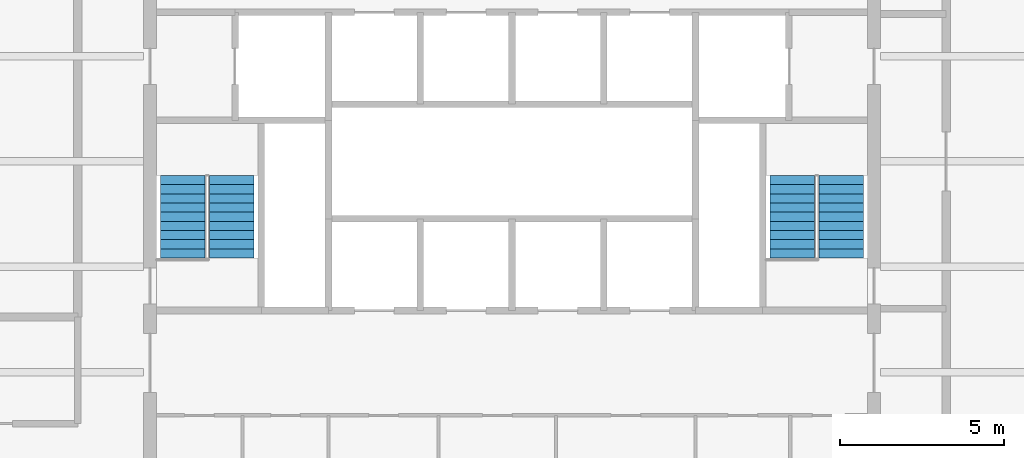
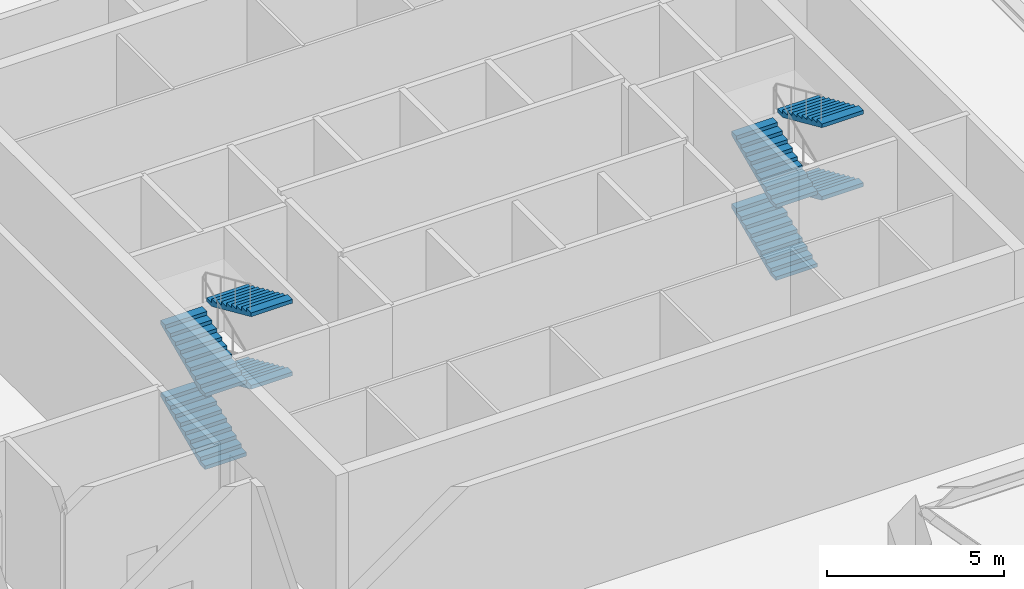
# One storey, part 7 of 13: 8 stair flights, 2 elements without a shape of their own.
"""IFC4 building model written with IfcOpenShell, lengths in metres."""

from ifc_helpers import new_model, si_unit, direction, frame, origin, place, context, subcontext, project, spatial, polyline, outline, extrude, material, type_object, element, aggregate, save


model = new_model("IFC4")

# Units and contexts
model_context = context("Model", 3, precision=1e-05, world=origin(), true_north=direction((0.0, 1.0)))
body_context = subcontext(model_context, "Body", "Model", "MODEL_VIEW")
ifc_project = project(units=[si_unit("LENGTHUNIT", "METRE"), si_unit("AREAUNIT", "SQUARE_METRE"), si_unit("VOLUMEUNIT", "CUBIC_METRE"), si_unit("PLANEANGLEUNIT", "RADIAN"), si_unit("MASSUNIT", "GRAM", prefix="KILO")], contexts=[model_context])

# Site, building, storey
site_placement = place(None, origin())
site = spatial("IfcSite", under=ifc_project, at=site_placement, CompositionType="ELEMENT")
building_placement = place(site_placement, origin())
building = spatial("IfcBuilding", under=site, at=building_placement, Name="Quoin Convention Tower", CompositionType="ELEMENT")
storey_placement = place(building_placement, frame((0.0, 0.0, 206.89990234375)))
storey = spatial("IfcBuildingStorey", under=building, at=storey_placement, Name="L54", CompositionType="ELEMENT", Elevation=206.89990234375)

# Stair, stair flights
ifc_material = material(Name="Concrete C40", Category="concrete")
stair_type = type_object("IfcStairType", Name="Exit stair four-flight 1350", PredefinedType="DOUBLE_RETURN_STAIR", material=ifc_material)
stair_1_placement = place(storey_placement, origin())
stair_1 = element("IfcStair", 1, at=stair_1_placement, inside=storey, type_object=stair_type, Name="SD1 L54", PredefinedType="DOUBLE_RETURN_STAIR")
stair_flight_type = type_object("IfcStairFlightType", Name="Stair flight 1350", PredefinedType="STRAIGHT", material=ifc_material)
stair_flight_1_placement = place(storey_placement, frame((46.199951171875, 57.800048828125, 0.0), z_axis=(0.0, 0.0, 1.0), x_axis=(0.0, 1.0, 0.0)))
stair_flight_1 = element("IfcStairFlight", 2, at=stair_flight_1_placement, type_object=stair_flight_type, Name="ST1 flight 1", NumberOfRisers=10, NumberOfTreads=9, PredefinedType="STRAIGHT", RiserHeight=0.125, TreadLength=0.28, context=body_context, shape_type="SweptSolid", body=[
    extrude(outline(polyline([(0.0, 0.0), (0.0, 0.125), (0.280029296875, 0.125), (0.280029296875, 0.25), (0.56005859375, 0.25), (0.56005859375, 0.375), (0.840087890625, 0.375), (0.840087890625, 0.5), (1.1201171875, 0.5), (1.1201171875, 0.625), (1.39990234375, 0.625), (1.39990234375, 0.75), (1.679931640625, 0.75), (1.679931640625, 0.875), (1.9599609375, 0.875), (1.9599609375, 1.0), (2.239990234375, 1.0), (2.239990234375, 1.125), (2.52001953125, 1.125), (2.52001953125, 1.25), (2.52001953125, 0.993408203125), (0.294677734375, 0.0), (0.0, 0.0)])), frame((0.0, 0.675048828125, 0.0), z_axis=(0.0, -1.0, 0.0), x_axis=(1.0, 0.0, 0.0)), (0.0, 0.0, 1.0), 1.35009765625),
])
stair_flight_2_placement = place(storey_placement, frame((47.699951171875, 60.320068359375, 1.25), z_axis=(0.0, 0.0, 1.0), x_axis=(0.0, -1.0, 0.0)))
stair_flight_2 = element("IfcStairFlight", 3, at=stair_flight_2_placement, type_object=stair_flight_type, Name="ST1 flight 2", NumberOfRisers=10, NumberOfTreads=9, PredefinedType="STRAIGHT", RiserHeight=0.125, TreadLength=0.28, context=body_context, shape_type="SweptSolid", body=[
    extrude(outline(polyline([(0.0, 0.0), (0.0, 0.125), (0.280029296875, 0.125), (0.280029296875, 0.25), (0.56005859375, 0.25), (0.56005859375, 0.375), (0.840087890625, 0.375), (0.840087890625, 0.5), (1.1201171875, 0.5), (1.1201171875, 0.625), (1.39990234375, 0.625), (1.39990234375, 0.75), (1.679931640625, 0.75), (1.679931640625, 0.875), (1.9599609375, 0.875), (1.9599609375, 1.0), (2.239990234375, 1.0), (2.239990234375, 1.125), (2.52001953125, 1.125), (2.52001953125, 1.25), (2.52001953125, 0.993408203125), (0.294677734375, 0.0), (0.0, 0.0)])), frame((0.0, 0.675048828125, 0.0), z_axis=(0.0, -1.0, 0.0), x_axis=(1.0, 0.0, 0.0)), (0.0, 0.0, 1.0), 1.35009765625),
])
stair_flight_3_placement = place(storey_placement, frame((46.199951171875, 57.800048828125, 2.5), z_axis=(0.0, 0.0, 1.0), x_axis=(0.0, 1.0, 0.0)))
stair_flight_3 = element("IfcStairFlight", 4, at=stair_flight_3_placement, type_object=stair_flight_type, Name="ST1 flight 3", NumberOfRisers=10, NumberOfTreads=9, PredefinedType="STRAIGHT", RiserHeight=0.125, TreadLength=0.28, context=body_context, shape_type="SweptSolid", body=[
    extrude(outline(polyline([(0.0, 0.0), (0.0, 0.125), (0.280029296875, 0.125), (0.280029296875, 0.25), (0.56005859375, 0.25), (0.56005859375, 0.375), (0.840087890625, 0.375), (0.840087890625, 0.5), (1.1201171875, 0.5), (1.1201171875, 0.625), (1.39990234375, 0.625), (1.39990234375, 0.75), (1.679931640625, 0.75), (1.679931640625, 0.875), (1.9599609375, 0.875), (1.9599609375, 1.0), (2.239990234375, 1.0), (2.239990234375, 1.125), (2.52001953125, 1.125), (2.52001953125, 1.25), (2.52001953125, 0.993408203125), (0.294677734375, 0.0), (0.0, 0.0)])), frame((0.0, 0.675048828125, 0.0), z_axis=(0.0, -1.0, 0.0), x_axis=(1.0, 0.0, 0.0)), (0.0, 0.0, 1.0), 1.35009765625),
])
stair_flight_4_placement = place(storey_placement, frame((47.699951171875, 60.320068359375, 3.75), z_axis=(0.0, 0.0, 1.0), x_axis=(0.0, -1.0, 0.0)))
stair_flight_4 = element("IfcStairFlight", 5, at=stair_flight_4_placement, type_object=stair_flight_type, Name="ST1 flight 4", NumberOfRisers=10, NumberOfTreads=9, PredefinedType="STRAIGHT", RiserHeight=0.125, TreadLength=0.28, context=body_context, shape_type="SweptSolid", body=[
    extrude(outline(polyline([(0.0, 0.0), (0.0, 0.125), (0.280029296875, 0.125), (0.280029296875, 0.25), (0.56005859375, 0.25), (0.56005859375, 0.375), (0.840087890625, 0.375), (0.840087890625, 0.5), (1.1201171875, 0.5), (1.1201171875, 0.625), (1.39990234375, 0.625), (1.39990234375, 0.75), (1.679931640625, 0.75), (1.679931640625, 0.875), (1.9599609375, 0.875), (1.9599609375, 1.0), (2.239990234375, 1.0), (2.239990234375, 1.125), (2.52001953125, 1.125), (2.52001953125, 1.25), (2.52001953125, 0.993408203125), (0.294677734375, 0.0), (0.0, 0.0)])), frame((0.0, 0.675048828125, 0.0), z_axis=(0.0, -1.0, 0.0), x_axis=(1.0, 0.0, 0.0)), (0.0, 0.0, 1.0), 1.35009765625),
])
aggregate(stair_1, [stair_flight_1, stair_flight_2, stair_flight_3, stair_flight_4])

stair_2_placement = place(storey_placement, origin())
stair_2 = element("IfcStair", 6, at=stair_2_placement, inside=storey, type_object=stair_type, Name="SD2 L54", PredefinedType="DOUBLE_RETURN_STAIR")
stair_flight_5_placement = place(storey_placement, frame((64.800048828125, 57.800048828125, 0.0), z_axis=(0.0, 0.0, 1.0), x_axis=(0.0, 1.0, 0.0)))
stair_flight_5 = element("IfcStairFlight", 7, at=stair_flight_5_placement, type_object=stair_flight_type, Name="ST2 flight 1", NumberOfRisers=10, NumberOfTreads=9, PredefinedType="STRAIGHT", RiserHeight=0.125, TreadLength=0.28, context=body_context, shape_type="SweptSolid", body=[
    extrude(outline(polyline([(0.0, 0.0), (0.0, 0.125), (0.280029296875, 0.125), (0.280029296875, 0.25), (0.56005859375, 0.25), (0.56005859375, 0.375), (0.840087890625, 0.375), (0.840087890625, 0.5), (1.1201171875, 0.5), (1.1201171875, 0.625), (1.39990234375, 0.625), (1.39990234375, 0.75), (1.679931640625, 0.75), (1.679931640625, 0.875), (1.9599609375, 0.875), (1.9599609375, 1.0), (2.239990234375, 1.0), (2.239990234375, 1.125), (2.52001953125, 1.125), (2.52001953125, 1.25), (2.52001953125, 0.993408203125), (0.294677734375, 0.0), (0.0, 0.0)])), frame((0.0, 0.675048828125, 0.0), z_axis=(0.0, -1.0, 0.0), x_axis=(1.0, 0.0, 0.0)), (0.0, 0.0, 1.0), 1.35009765625),
])
stair_flight_6_placement = place(storey_placement, frame((66.300048828125, 60.320068359375, 1.25), z_axis=(0.0, 0.0, 1.0), x_axis=(0.0, -1.0, 0.0)))
stair_flight_6 = element("IfcStairFlight", 8, at=stair_flight_6_placement, type_object=stair_flight_type, Name="ST2 flight 2", NumberOfRisers=10, NumberOfTreads=9, PredefinedType="STRAIGHT", RiserHeight=0.125, TreadLength=0.28, context=body_context, shape_type="SweptSolid", body=[
    extrude(outline(polyline([(0.0, 0.0), (0.0, 0.125), (0.280029296875, 0.125), (0.280029296875, 0.25), (0.56005859375, 0.25), (0.56005859375, 0.375), (0.840087890625, 0.375), (0.840087890625, 0.5), (1.1201171875, 0.5), (1.1201171875, 0.625), (1.39990234375, 0.625), (1.39990234375, 0.75), (1.679931640625, 0.75), (1.679931640625, 0.875), (1.9599609375, 0.875), (1.9599609375, 1.0), (2.239990234375, 1.0), (2.239990234375, 1.125), (2.52001953125, 1.125), (2.52001953125, 1.25), (2.52001953125, 0.993408203125), (0.294677734375, 0.0), (0.0, 0.0)])), frame((0.0, 0.675048828125, 0.0), z_axis=(0.0, -1.0, 0.0), x_axis=(1.0, 0.0, 0.0)), (0.0, 0.0, 1.0), 1.35009765625),
])
stair_flight_7_placement = place(storey_placement, frame((64.800048828125, 57.800048828125, 2.5), z_axis=(0.0, 0.0, 1.0), x_axis=(0.0, 1.0, 0.0)))
stair_flight_7 = element("IfcStairFlight", 9, at=stair_flight_7_placement, type_object=stair_flight_type, Name="ST2 flight 3", NumberOfRisers=10, NumberOfTreads=9, PredefinedType="STRAIGHT", RiserHeight=0.125, TreadLength=0.28, context=body_context, shape_type="SweptSolid", body=[
    extrude(outline(polyline([(0.0, 0.0), (0.0, 0.125), (0.280029296875, 0.125), (0.280029296875, 0.25), (0.56005859375, 0.25), (0.56005859375, 0.375), (0.840087890625, 0.375), (0.840087890625, 0.5), (1.1201171875, 0.5), (1.1201171875, 0.625), (1.39990234375, 0.625), (1.39990234375, 0.75), (1.679931640625, 0.75), (1.679931640625, 0.875), (1.9599609375, 0.875), (1.9599609375, 1.0), (2.239990234375, 1.0), (2.239990234375, 1.125), (2.52001953125, 1.125), (2.52001953125, 1.25), (2.52001953125, 0.993408203125), (0.294677734375, 0.0), (0.0, 0.0)])), frame((0.0, 0.675048828125, 0.0), z_axis=(0.0, -1.0, 0.0), x_axis=(1.0, 0.0, 0.0)), (0.0, 0.0, 1.0), 1.35009765625),
])
stair_flight_8_placement = place(storey_placement, frame((66.300048828125, 60.320068359375, 3.75), z_axis=(0.0, 0.0, 1.0), x_axis=(0.0, -1.0, 0.0)))
stair_flight_8 = element("IfcStairFlight", 10, at=stair_flight_8_placement, type_object=stair_flight_type, Name="ST2 flight 4", NumberOfRisers=10, NumberOfTreads=9, PredefinedType="STRAIGHT", RiserHeight=0.125, TreadLength=0.28, context=body_context, shape_type="SweptSolid", body=[
    extrude(outline(polyline([(0.0, 0.0), (0.0, 0.125), (0.280029296875, 0.125), (0.280029296875, 0.25), (0.56005859375, 0.25), (0.56005859375, 0.375), (0.840087890625, 0.375), (0.840087890625, 0.5), (1.1201171875, 0.5), (1.1201171875, 0.625), (1.39990234375, 0.625), (1.39990234375, 0.75), (1.679931640625, 0.75), (1.679931640625, 0.875), (1.9599609375, 0.875), (1.9599609375, 1.0), (2.239990234375, 1.0), (2.239990234375, 1.125), (2.52001953125, 1.125), (2.52001953125, 1.25), (2.52001953125, 0.993408203125), (0.294677734375, 0.0), (0.0, 0.0)])), frame((0.0, 0.675048828125, 0.0), z_axis=(0.0, -1.0, 0.0), x_axis=(1.0, 0.0, 0.0)), (0.0, 0.0, 1.0), 1.35009765625),
])
aggregate(stair_2, [stair_flight_5, stair_flight_6, stair_flight_7, stair_flight_8])

save(model, "model.ifc")
